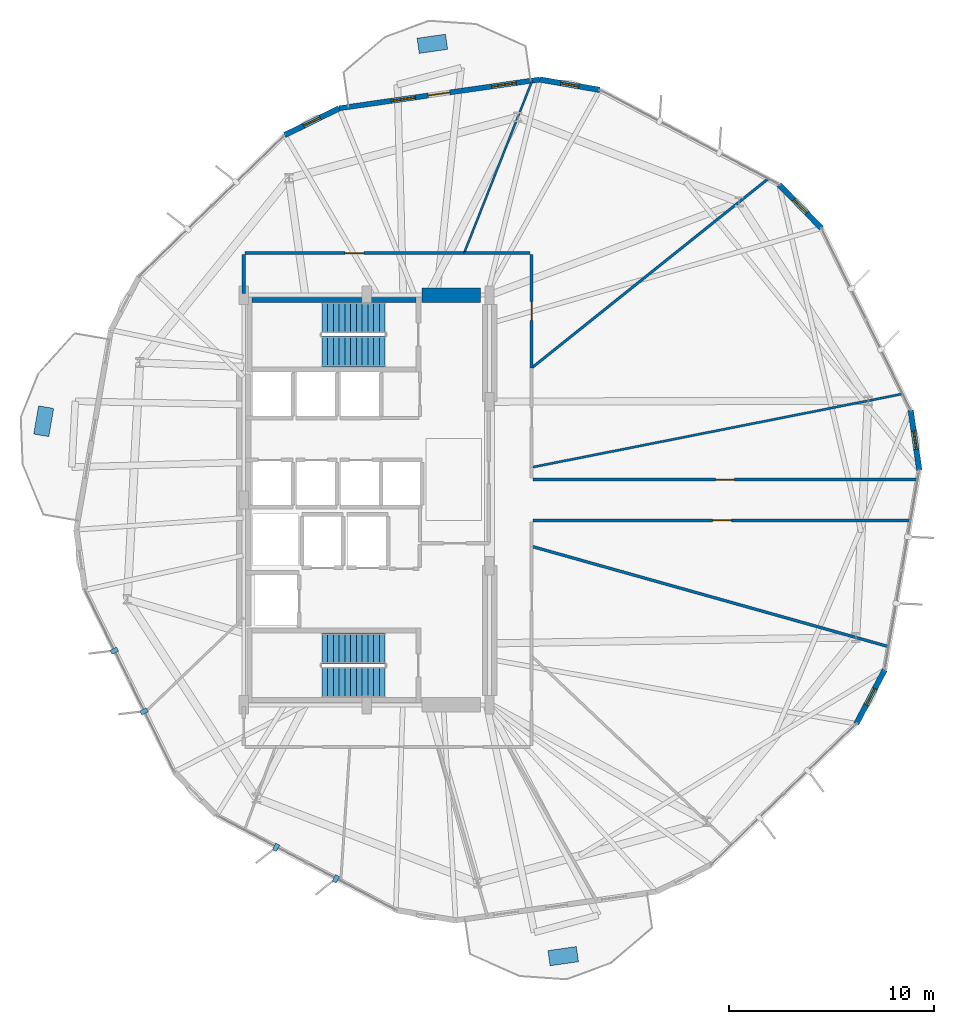
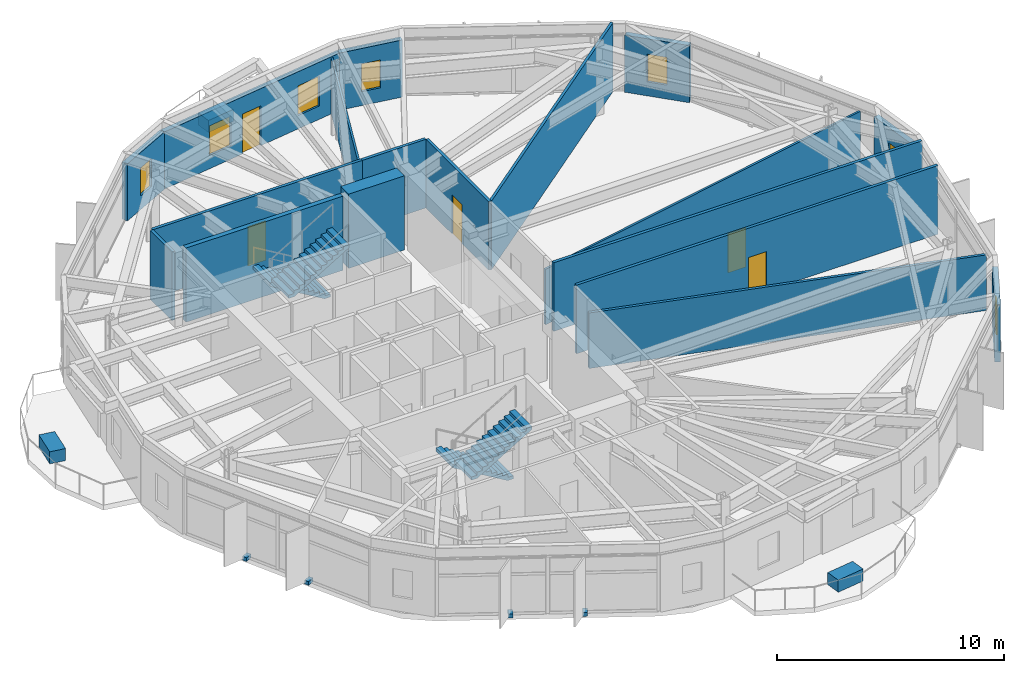
# One storey, part 18 of 22: 18 walls, 7 discrete accessories, 7 windows, 5 doors, 4 stair flights, 12 openings, 2 elements without a shape of their own.
"""IFC4 building model written with IfcOpenShell, lengths in metres."""

from ifc_helpers import new_model, si_unit, direction, frame, frame_2d, origin, origin_2d, place, context, subcontext, project, spatial, polyline, rectangle, outline, extrude, material, layer, layer_set, type_object, element, fill, aggregate, save


model = new_model("IFC4")

# Units and contexts
model_context = context("Model", 3, precision=1e-05, world=origin(), true_north=direction((0.0, 1.0)))
body_context = subcontext(model_context, "Body", "Model", "MODEL_VIEW")
ifc_project = project(units=[si_unit("LENGTHUNIT", "METRE"), si_unit("AREAUNIT", "SQUARE_METRE"), si_unit("VOLUMEUNIT", "CUBIC_METRE"), si_unit("PLANEANGLEUNIT", "RADIAN"), si_unit("MASSUNIT", "GRAM", prefix="KILO")], contexts=[model_context])

# Site, building, storey
site_placement = place(None, origin())
site = spatial("IfcSite", under=ifc_project, at=site_placement, CompositionType="ELEMENT")
building_placement = place(site_placement, origin())
building = spatial("IfcBuilding", under=site, at=building_placement, Name="Soratama Intermodal Tower", CompositionType="ELEMENT")
storey_placement = place(building_placement, frame((0.0, 0.0, 58.60009765625)))
storey = spatial("IfcBuildingStorey", under=building, at=storey_placement, Name="L13", CompositionType="ELEMENT", Elevation=58.60009765625)

# Wall, openings, door, windows
ifc_material_1 = material(Name="Concrete f'c 42 MPa", Category="concrete")
ifc_layer_1 = layer(ifc_material_1, 0.25)
ifc_layer_set_1 = layer_set([ifc_layer_1], Name="Concrete f'c 42 MPa")
wall_type_1 = type_object("IfcWallType", Name="EW-BAL-250", PredefinedType="SOLIDWALL", material=ifc_layer_set_1)
wall_1_placement = place(storey_placement, frame((47.0546875, 45.52490234375, 0.0), z_axis=(0.0, 0.0, 1.0), x_axis=(-0.989876819663, -0.141929143922, 0.0)))
wall_1 = element("IfcWall", 1, at=wall_1_placement, inside=storey, type_object=wall_type_1, Name="L13 Terrace Wall F03", PredefinedType="SOLIDWALL", context=body_context, shape_type="SweptSolid", body=[
    extrude(rectangle(XDim=9.894287109375, YDim=0.25, at=frame_2d((4.947265625, 0.0))), origin(), (0.0, 0.0, 1.0), 3.078857421875),
])
opening_1_placement = place(wall_1_placement, frame((4.447021484375, 0.0, 0.0)))
opening_1 = element("IfcOpeningElement", 2, at=opening_1_placement, cuts=wall_1, Name="Opening ED-5", PredefinedType="OPENING", context=body_context, shape_type="SweptSolid", body=[
    extrude(rectangle(XDim=1.050048828125, YDim=2.14990234375, at=frame_2d((0.52490234375, 1.074951171875))), frame((0.0, 0.135009765625, 0.0), z_axis=(0.0, -1.0, 0.0), x_axis=(1.0, 0.0, 0.0)), (0.0, 0.0, 1.0), 0.27001953125),
])
opening_2_placement = place(wall_1_placement, frame((1.162353515625, 0.0, 0.719970703125)))
opening_2 = element("IfcOpeningElement", 3, at=opening_2_placement, cuts=wall_1, Name="Opening WN-2", PredefinedType="OPENING", context=body_context, shape_type="SweptSolid", body=[
    extrude(rectangle(XDim=1.199951171875, YDim=1.60009765625, at=frame_2d((0.60009765625, 0.800048828125))), frame((0.0, 0.135009765625, 0.0), z_axis=(0.0, -1.0, 0.0), x_axis=(1.0, 0.0, 0.0)), (0.0, 0.0, 1.0), 0.27001953125),
])
opening_3_placement = place(wall_1_placement, frame((6.13720703125, 0.0, 0.719970703125)))
opening_3 = element("IfcOpeningElement", 4, at=opening_3_placement, cuts=wall_1, Name="Opening WN-2", PredefinedType="OPENING", context=body_context, shape_type="SweptSolid", body=[
    extrude(rectangle(XDim=1.199951171875, YDim=1.60009765625, at=frame_2d((0.60009765625, 0.800048828125))), frame((0.0, 0.135009765625, 0.0), z_axis=(0.0, -1.0, 0.0), x_axis=(1.0, 0.0, 0.0)), (0.0, 0.0, 1.0), 0.27001953125),
])
ifc_material_2 = material(Name="Double-glazed aluminium door", Category="aluminium")
door_type_1 = type_object("IfcDoorType", Name="DR-BAL-1050", OperationType="NOTDEFINED", PredefinedType="DOOR", material=ifc_material_2)
door_1_placement = place(opening_1_placement, origin())
door_1 = element("IfcDoor", 5, at=door_1_placement, inside=storey, type_object=door_type_1, Name="L13 Balcony Door F03", OperationType="SINGLE_SWING_LEFT", OverallHeight=2.14990234375, OverallWidth=1.050048828125, PredefinedType="DOOR", context=body_context, shape_type="SweptSolid", body=[
    extrude(rectangle(XDim=1.050048828125, YDim=2.14990234375, at=frame_2d((0.52490234375, 1.074951171875))), frame((0.0, 0.02490234375, 0.0), z_axis=(0.0, -1.0, 0.0), x_axis=(1.0, 0.0, 0.0)), (0.0, 0.0, 1.0), 0.050048828125),
])
fill(opening_1, door_1)
ifc_material_3 = material(Name="Double-glazed aluminium window", Category="aluminium")
window_type_1 = type_object("IfcWindowType", Name="WN-FAC-1200", PartitioningType="SINGLE_PANEL", PredefinedType="WINDOW", material=ifc_material_3)
window_1_placement = place(opening_2_placement, origin())
window_1 = element("IfcWindow", 6, at=window_1_placement, inside=storey, type_object=window_type_1, Name="L13 Window A F03", OverallHeight=1.60009765625, OverallWidth=1.199951171875, PartitioningType="SINGLE_PANEL", PredefinedType="WINDOW", context=body_context, shape_type="SweptSolid", body=[
    extrude(rectangle(XDim=1.199951171875, YDim=1.60009765625, at=frame_2d((0.60009765625, 0.800048828125))), frame((0.0, 0.030029296875, 0.0), z_axis=(0.0, -1.0, 0.0), x_axis=(1.0, 0.0, 0.0)), (0.0, 0.0, 1.0), 0.06005859375),
])
fill(opening_2, window_1)
window_2_placement = place(opening_3_placement, origin())
window_2 = element("IfcWindow", 7, at=window_2_placement, inside=storey, type_object=window_type_1, Name="L13 Window B F03", OverallHeight=1.60009765625, OverallWidth=1.199951171875, PartitioningType="SINGLE_PANEL", PredefinedType="WINDOW", context=body_context, shape_type="SweptSolid", body=[
    extrude(rectangle(XDim=1.199951171875, YDim=1.60009765625, at=frame_2d((0.60009765625, 0.800048828125))), frame((0.0, 0.030029296875, 0.0), z_axis=(0.0, -1.0, 0.0), x_axis=(1.0, 0.0, 0.0)), (0.0, 0.0, 1.0), 0.06005859375),
])
fill(opening_3, window_2)

# Wall, opening, window
ifc_material_4 = material(Name="Concrete f'c 42 MPa", Category="concrete")
ifc_layer_2 = layer(ifc_material_4, 0.27001953125)
ifc_layer_set_2 = layer_set([ifc_layer_2], Name="Concrete f'c 42 MPa")
wall_type_2 = type_object("IfcWallType", Name="EW-CRN-270", PredefinedType="SOLIDWALL", material=ifc_layer_set_2)
wall_2_placement = place(storey_placement, frame((60.793212890625, 38.269287109375, 0.0), z_axis=(0.0, 0.0, 1.0), x_axis=(-0.69666106732, 0.717400416282, 0.0)))
wall_2 = element("IfcWall", 8, at=wall_2_placement, inside=storey, type_object=wall_type_2, Name="L13 Corner Closure Wall 01", PredefinedType="SOLIDWALL", context=body_context, shape_type="SweptSolid", body=[
    extrude(rectangle(XDim=2.966552734375, YDim=0.27001953125, at=frame_2d((1.4833984375, 0.0))), origin(), (0.0, 0.0, 1.0), 3.078857421875),
])
opening_4_placement = place(wall_2_placement, frame((1.033203125, 0.0, 0.75)))
opening_4 = element("IfcOpeningElement", 9, at=opening_4_placement, cuts=wall_2, Name="Opening WN-6", PredefinedType="OPENING", context=body_context, shape_type="SweptSolid", body=[
    extrude(rectangle(XDim=0.89990234375, YDim=1.5, at=frame_2d((0.449951171875, 0.75))), frame((0.0, 0.14501953125, 0.0), z_axis=(0.0, -1.0, 0.0), x_axis=(1.0, 0.0, 0.0)), (0.0, 0.0, 1.0), 0.2900390625),
])
ifc_material_5 = material(Name="Double-glazed aluminium window", Category="aluminium")
window_type_2 = type_object("IfcWindowType", Name="WN-FAC-900", PartitioningType="SINGLE_PANEL", PredefinedType="WINDOW", material=ifc_material_5)
window_3_placement = place(opening_4_placement, origin())
window_3 = element("IfcWindow", 10, at=window_3_placement, inside=storey, type_object=window_type_2, Name="L13 Corner Window 01", OverallHeight=1.5, OverallWidth=0.89990234375, PartitioningType="SINGLE_PANEL", PredefinedType="WINDOW", context=body_context, shape_type="SweptSolid", body=[
    extrude(rectangle(XDim=0.89990234375, YDim=1.5, at=frame_2d((0.449951171875, 0.75))), frame((0.0, 0.030029296875, 0.0), z_axis=(0.0, -1.0, 0.0), x_axis=(1.0, 0.0, 0.0)), (0.0, 0.0, 1.0), 0.06005859375),
])
fill(opening_4, window_3)

wall_3_placement = place(storey_placement, frame((49.9775390625, 45.01806640625, 0.0), z_axis=(0.0, 0.0, 1.0), x_axis=(-0.985296200015, 0.170854904045, 0.0)))
wall_3 = element("IfcWall", 11, at=wall_3_placement, inside=storey, type_object=wall_type_2, Name="L13 Corner Closure Wall 02", PredefinedType="SOLIDWALL", context=body_context, shape_type="SweptSolid", body=[
    extrude(rectangle(XDim=2.966552734375, YDim=0.27001953125, at=frame_2d((1.4833984375, 0.0))), origin(), (0.0, 0.0, 1.0), 3.078857421875),
])
opening_5_placement = place(wall_3_placement, frame((1.033203125, 0.0, 0.75)))
opening_5 = element("IfcOpeningElement", 12, at=opening_5_placement, cuts=wall_3, Name="Opening WN-6", PredefinedType="OPENING", context=body_context, shape_type="SweptSolid", body=[
    extrude(rectangle(XDim=0.89990234375, YDim=1.5, at=frame_2d((0.449951171875, 0.75))), frame((0.0, 0.14501953125, 0.0), z_axis=(0.0, -1.0, 0.0), x_axis=(1.0, 0.0, 0.0)), (0.0, 0.0, 1.0), 0.2900390625),
])
window_4_placement = place(opening_5_placement, origin())
window_4 = element("IfcWindow", 13, at=window_4_placement, inside=storey, type_object=window_type_2, Name="L13 Corner Window 02", OverallHeight=1.5, OverallWidth=0.89990234375, PartitioningType="SINGLE_PANEL", PredefinedType="WINDOW", context=body_context, shape_type="SweptSolid", body=[
    extrude(rectangle(XDim=0.89990234375, YDim=1.5, at=frame_2d((0.449951171875, 0.75))), frame((0.0, 0.030029296875, 0.0), z_axis=(0.0, -1.0, 0.0), x_axis=(1.0, 0.0, 0.0)), (0.0, 0.0, 1.0), 0.06005859375),
])
fill(opening_5, window_4)

wall_4_placement = place(storey_placement, frame((37.260498046875, 44.12060546875, 0.0), z_axis=(0.0, 0.0, 1.0), x_axis=(-0.897565182517, -0.440881779089, 0.0)))
wall_4 = element("IfcWall", 14, at=wall_4_placement, inside=storey, type_object=wall_type_2, Name="L13 Corner Closure Wall 03", PredefinedType="SOLIDWALL", context=body_context, shape_type="SweptSolid", body=[
    extrude(rectangle(XDim=2.966552734375, YDim=0.27001953125, at=frame_2d((1.4833984375, 0.0))), origin(), (0.0, 0.0, 1.0), 3.078857421875),
])
opening_6_placement = place(wall_4_placement, frame((1.033203125, 0.0, 0.75)))
opening_6 = element("IfcOpeningElement", 15, at=opening_6_placement, cuts=wall_4, Name="Opening WN-6", PredefinedType="OPENING", context=body_context, shape_type="SweptSolid", body=[
    extrude(rectangle(XDim=0.89990234375, YDim=1.5, at=frame_2d((0.449951171875, 0.75))), frame((0.0, 0.14501953125, 0.0), z_axis=(0.0, -1.0, 0.0), x_axis=(1.0, 0.0, 0.0)), (0.0, 0.0, 1.0), 0.2900390625),
])
window_5_placement = place(opening_6_placement, origin())
window_5 = element("IfcWindow", 16, at=window_5_placement, inside=storey, type_object=window_type_2, Name="L13 Corner Window 03", OverallHeight=1.5, OverallWidth=0.89990234375, PartitioningType="SINGLE_PANEL", PredefinedType="WINDOW", context=body_context, shape_type="SweptSolid", body=[
    extrude(rectangle(XDim=0.89990234375, YDim=1.5, at=frame_2d((0.449951171875, 0.75))), frame((0.0, 0.030029296875, 0.0), z_axis=(0.0, -1.0, 0.0), x_axis=(1.0, 0.0, 0.0)), (0.0, 0.0, 1.0), 0.06005859375),
])
fill(opening_6, window_5)

wall_5_placement = place(storey_placement, frame((62.5, 14.080078125, 0.0), z_axis=(0.0, 0.0, 1.0), x_axis=(0.467017847618, 0.884247889455, 0.0)))
wall_5 = element("IfcWall", 17, at=wall_5_placement, inside=storey, type_object=wall_type_2, Name="L13 Corner Closure Wall 09", PredefinedType="SOLIDWALL", context=body_context, shape_type="SweptSolid", body=[
    extrude(rectangle(XDim=2.966796875, YDim=0.27001953125, at=frame_2d((1.4833984375, 0.0))), origin(), (0.0, 0.0, 1.0), 3.078857421875),
])
opening_7_placement = place(wall_5_placement, frame((1.033203125, 0.0, 0.75)))
opening_7 = element("IfcOpeningElement", 18, at=opening_7_placement, cuts=wall_5, Name="Opening WN-6", PredefinedType="OPENING", context=body_context, shape_type="SweptSolid", body=[
    extrude(rectangle(XDim=0.89990234375, YDim=1.5, at=frame_2d((0.449951171875, 0.75))), frame((0.0, 0.14501953125, 0.0), z_axis=(0.0, -1.0, 0.0), x_axis=(1.0, 0.0, 0.0)), (0.0, 0.0, 1.0), 0.2900390625),
])
window_6_placement = place(opening_7_placement, origin())
window_6 = element("IfcWindow", 19, at=window_6_placement, inside=storey, type_object=window_type_2, Name="L13 Corner Window 09", OverallHeight=1.5, OverallWidth=0.89990234375, PartitioningType="SINGLE_PANEL", PredefinedType="WINDOW", context=body_context, shape_type="SweptSolid", body=[
    extrude(rectangle(XDim=0.89990234375, YDim=1.5, at=frame_2d((0.449951171875, 0.75))), frame((0.0, 0.030029296875, 0.0), z_axis=(0.0, -1.0, 0.0), x_axis=(1.0, 0.0, 0.0)), (0.0, 0.0, 1.0), 0.06005859375),
])
fill(opening_7, window_6)

wall_6_placement = place(storey_placement, frame((65.576416015625, 26.451904296875, 0.0), z_axis=(0.0, 0.0, 1.0), x_axis=(-0.141962851347, 0.989871986086, 0.0)))
wall_6 = element("IfcWall", 20, at=wall_6_placement, inside=storey, type_object=wall_type_2, Name="L13 Corner Closure Wall 10", PredefinedType="SOLIDWALL", context=body_context, shape_type="SweptSolid", body=[
    extrude(rectangle(XDim=2.966552734375, YDim=0.27001953125, at=frame_2d((1.4833984375, 0.0))), origin(), (0.0, 0.0, 1.0), 3.078857421875),
])
opening_8_placement = place(wall_6_placement, frame((1.033203125, 0.0, 0.75)))
opening_8 = element("IfcOpeningElement", 21, at=opening_8_placement, cuts=wall_6, Name="Opening WN-6", PredefinedType="OPENING", context=body_context, shape_type="SweptSolid", body=[
    extrude(rectangle(XDim=0.89990234375, YDim=1.5, at=frame_2d((0.449951171875, 0.75))), frame((0.0, 0.14501953125, 0.0), z_axis=(0.0, -1.0, 0.0), x_axis=(1.0, 0.0, 0.0)), (0.0, 0.0, 1.0), 0.2900390625),
])
window_7_placement = place(opening_8_placement, origin())
window_7 = element("IfcWindow", 22, at=window_7_placement, inside=storey, type_object=window_type_2, Name="L13 Corner Window 10", OverallHeight=1.5, OverallWidth=0.89990234375, PartitioningType="SINGLE_PANEL", PredefinedType="WINDOW", context=body_context, shape_type="SweptSolid", body=[
    extrude(rectangle(XDim=0.89990234375, YDim=1.5, at=frame_2d((0.449951171875, 0.75))), frame((0.0, 0.030029296875, 0.0), z_axis=(0.0, -1.0, 0.0), x_axis=(1.0, 0.0, 0.0)), (0.0, 0.0, 1.0), 0.06005859375),
])
fill(opening_8, window_7)

# Wall, opening, door
ifc_material_6 = material(Name="Fire-rated gypsum stud partition", Category="concrete")
ifc_layer_3 = layer(ifc_material_6, 0.14990234375)
ifc_layer_set_3 = layer_set([ifc_layer_3], Name="Fire-rated gypsum stud partition")
wall_type_3 = type_object("IfcWallType", Name="IW-PART-R150", PredefinedType="PARTITIONING", material=ifc_layer_set_3)
wall_7_placement = place(storey_placement, frame((46.719970703125, 26.0, 0.0), z_axis=(0.0, 0.0, 1.0), x_axis=(1.0, 0.0, 0.0)))
wall_7 = element("IfcWall", 23, at=wall_7_placement, inside=storey, type_object=wall_type_3, Name="L13 Partition W-L13-TP001", PredefinedType="PARTITIONING", context=body_context, shape_type="SweptSolid", body=[
    extrude(rectangle(XDim=18.778076171875, YDim=0.14990234375, at=frame_2d((9.38916015625, 0.0))), origin(), (0.0, 0.0, 1.0), 3.699951171875),
])
opening_9_placement = place(wall_7_placement, frame((8.9140625, 0.0, 0.0)))
opening_9 = element("IfcOpeningElement", 24, at=opening_9_placement, cuts=wall_7, Name="Opening ID-6", PredefinedType="OPENING", context=body_context, shape_type="SweptSolid", body=[
    extrude(rectangle(XDim=0.919921875, YDim=2.1201171875, at=frame_2d((0.4599609375, 1.06005859375))), frame((0.0, 0.0849609375, 0.0), z_axis=(0.0, -1.0, 0.0), x_axis=(1.0, 0.0, 0.0)), (0.0, 0.0, 1.0), 0.169921875),
])
ifc_material_7 = material(Name="Solid hardwood acoustic door", Category="wood")
door_type_2 = type_object("IfcDoorType", Name="DR-ROOM-920", OperationType="NOTDEFINED", PredefinedType="DOOR", material=ifc_material_7)
door_2_placement = place(opening_9_placement, origin())
door_2 = element("IfcDoor", 25, at=door_2_placement, inside=storey, type_object=door_type_2, Name="L13 Door D-L13-TP001", OperationType="SINGLE_SWING_RIGHT", OverallHeight=2.1201171875, OverallWidth=0.919921875, PredefinedType="DOOR", context=body_context, shape_type="SweptSolid", body=[
    extrude(rectangle(XDim=0.919921875, YDim=2.1201171875, at=frame_2d((0.4599609375, 1.06005859375))), frame((0.0, 0.02490234375, 0.0), z_axis=(0.0, -1.0, 0.0), x_axis=(1.0, 0.0, 0.0)), (0.0, 0.0, 1.0), 0.050048828125),
])
fill(opening_9, door_2)

wall_8_placement = place(storey_placement, frame((65.15087890625, 24.0, 0.0), z_axis=(0.0, 0.0, 1.0), x_axis=(-1.0, 0.0, 0.0)))
wall_8 = element("IfcWall", 26, at=wall_8_placement, inside=storey, type_object=wall_type_3, Name="L13 Partition W-L13-TP003", PredefinedType="PARTITIONING", context=body_context, shape_type="SweptSolid", body=[
    extrude(rectangle(XDim=18.430908203125, YDim=0.14990234375, at=frame_2d((9.21533203125, 0.0))), origin(), (0.0, 0.0, 1.0), 3.699951171875),
])
opening_10_placement = place(wall_8_placement, frame((8.739990234375, 0.0, 0.0)))
opening_10 = element("IfcOpeningElement", 27, at=opening_10_placement, cuts=wall_8, Name="Opening ID-6", PredefinedType="OPENING", context=body_context, shape_type="SweptSolid", body=[
    extrude(rectangle(XDim=0.919921875, YDim=2.1201171875, at=frame_2d((0.4599609375, 1.06005859375))), frame((0.0, 0.0849609375, 0.0), z_axis=(0.0, -1.0, 0.0), x_axis=(1.0, 0.0, 0.0)), (0.0, 0.0, 1.0), 0.169921875),
])
door_3_placement = place(opening_10_placement, origin())
door_3 = element("IfcDoor", 28, at=door_3_placement, inside=storey, type_object=door_type_2, Name="L13 Door D-L13-TP002", OperationType="SINGLE_SWING_LEFT", OverallHeight=2.1201171875, OverallWidth=0.919921875, PredefinedType="DOOR", context=body_context, shape_type="SweptSolid", body=[
    extrude(rectangle(XDim=0.919921875, YDim=2.1201171875, at=frame_2d((0.4599609375, 1.06005859375))), frame((0.0, 0.02490234375, 0.0), z_axis=(0.0, -1.0, 0.0), x_axis=(1.0, 0.0, 0.0)), (0.0, 0.0, 1.0), 0.050048828125),
])
fill(opening_10, door_3)

wall_9_placement = place(storey_placement, frame((32.669921875, 37.050048828125, 0.0), z_axis=(0.0, 0.0, 1.0), x_axis=(1.0, 0.0, 0.0)))
wall_9 = element("IfcWall", 29, at=wall_9_placement, inside=storey, type_object=wall_type_3, Name="L13 Partition W-L13-TP007", PredefinedType="PARTITIONING", context=body_context, shape_type="SweptSolid", body=[
    extrude(rectangle(XDim=10.68603515625, YDim=0.14990234375, at=frame_2d((5.343017578125, 0.0))), origin(), (0.0, 0.0, 1.0), 3.699951171875),
])
opening_11_placement = place(wall_9_placement, frame((4.867919921875, 0.0, 0.0)))
opening_11 = element("IfcOpeningElement", 30, at=opening_11_placement, cuts=wall_9, Name="Opening ID-6", PredefinedType="OPENING", context=body_context, shape_type="SweptSolid", body=[
    extrude(rectangle(XDim=0.919921875, YDim=2.1201171875, at=frame_2d((0.4599609375, 1.06005859375))), frame((0.0, 0.0849609375, 0.0), z_axis=(0.0, -1.0, 0.0), x_axis=(1.0, 0.0, 0.0)), (0.0, 0.0, 1.0), 0.169921875),
])
door_4_placement = place(opening_11_placement, origin())
door_4 = element("IfcDoor", 31, at=door_4_placement, inside=storey, type_object=door_type_2, Name="L13 Door D-L13-TP003", OperationType="SINGLE_SWING_RIGHT", OverallHeight=2.1201171875, OverallWidth=0.919921875, PredefinedType="DOOR", context=body_context, shape_type="SweptSolid", body=[
    extrude(rectangle(XDim=0.919921875, YDim=2.1201171875, at=frame_2d((0.4599609375, 1.06005859375))), frame((0.0, 0.02490234375, 0.0), z_axis=(0.0, -1.0, 0.0), x_axis=(1.0, 0.0, 0.0)), (0.0, 0.0, 1.0), 0.050048828125),
])
fill(opening_11, door_4)

wall_10_placement = place(storey_placement, frame((46.64990234375, 36.97998046875, 0.0), z_axis=(0.0, 0.0, 1.0), x_axis=(0.0, -1.0, 0.0)))
wall_10 = element("IfcWall", 32, at=wall_10_placement, inside=storey, type_object=wall_type_3, Name="L13 Partition W-L13-TP014", PredefinedType="PARTITIONING", context=body_context, shape_type="SweptSolid", body=[
    extrude(rectangle(XDim=5.5380859375, YDim=0.14990234375, at=frame_2d((2.76904296875, 0.0))), origin(), (0.0, 0.0, 1.0), 3.699951171875),
])
opening_12_placement = place(wall_10_placement, frame((2.2939453125, 0.0, 0.0)))
opening_12 = element("IfcOpeningElement", 33, at=opening_12_placement, cuts=wall_10, Name="Opening ID-6", PredefinedType="OPENING", context=body_context, shape_type="SweptSolid", body=[
    extrude(rectangle(XDim=0.919921875, YDim=2.1201171875, at=frame_2d((0.4599609375, 1.06005859375))), frame((0.0, 0.0849609375, 0.0), z_axis=(0.0, -1.0, 0.0), x_axis=(1.0, 0.0, 0.0)), (0.0, 0.0, 1.0), 0.169921875),
])
door_5_placement = place(opening_12_placement, origin())
door_5 = element("IfcDoor", 34, at=door_5_placement, inside=storey, type_object=door_type_2, Name="L13 Door D-L13-TP005", OperationType="SINGLE_SWING_RIGHT", OverallHeight=2.1201171875, OverallWidth=0.919921875, PredefinedType="DOOR", context=body_context, shape_type="SweptSolid", body=[
    extrude(rectangle(XDim=0.919921875, YDim=2.1201171875, at=frame_2d((0.4599609375, 1.06005859375))), frame((0.0, 0.02490234375, 0.0), z_axis=(0.0, -1.0, 0.0), x_axis=(1.0, 0.0, 0.0)), (0.0, 0.0, 1.0), 0.050048828125),
])
fill(opening_12, door_5)

# Walls
wall_11_placement = place(storey_placement, frame((43.35595703125, 37.050048828125, 0.0), z_axis=(0.0, 0.0, 1.0), x_axis=(1.0, 0.0, 0.0)))
element("IfcWall", 35, at=wall_11_placement, inside=storey, type_object=wall_type_3, Name="L13 Partition W-L13-TP023", PredefinedType="PARTITIONING", context=body_context, shape_type="SweptSolid", body=[
    extrude(rectangle(XDim=3.22412109375, YDim=0.14990234375, at=frame_2d((1.612060546875, 0.0))), origin(), (0.0, 0.0, 1.0), 3.699951171875),
])
wall_12_placement = place(storey_placement, frame((32.60009765625, 35.070068359375, 0.0), z_axis=(0.0, 0.0, 1.0), x_axis=(0.0, 1.0, 0.0)))
element("IfcWall", 36, at=wall_12_placement, inside=storey, type_object=wall_type_3, Name="L13 Partition W-L13-TP026", PredefinedType="PARTITIONING", context=body_context, shape_type="SweptSolid", body=[
    extrude(rectangle(XDim=1.909912109375, YDim=0.14990234375, at=frame_2d((0.955078125, 0.0))), origin(), (0.0, 0.0, 1.0), 3.699951171875),
])
ifc_material_8 = material(Name="Fire-rated gypsum stud partition", Category="concrete")
ifc_layer_4 = layer(ifc_material_8, 0.10009765625)
ifc_layer_set_4 = layer_set([ifc_layer_4], Name="Fire-rated gypsum stud partition")
wall_type_4 = type_object("IfcWallType", Name="IW-PART-S100", PredefinedType="PARTITIONING", material=ifc_layer_set_4)
wall_13_placement = place(storey_placement, frame((43.35595703125, 37.050048828125, 0.0), z_axis=(0.0, 0.0, 1.0), x_axis=(0.367253717082, 0.930120802525, 0.0)))
element("IfcWall", 37, at=wall_13_placement, inside=storey, type_object=wall_type_4, Name="L13 Partition W-L13-TP008", PredefinedType="PARTITIONING", context=body_context, shape_type="SweptSolid", body=[
    extrude(rectangle(XDim=9.053466796875, YDim=0.10009765625, at=frame_2d((4.52685546875, 0.0))), origin(), (0.0, 0.0, 1.0), 2.994873046875),
])
ifc_material_9 = material(Name="Fire-rated gypsum stud partition", Category="concrete")
ifc_layer_5 = layer(ifc_material_9, 0.110107421875)
ifc_layer_set_5 = layer_set([ifc_layer_5], Name="Fire-rated gypsum stud partition")
wall_type_5 = type_object("IfcWallType", Name="IW-PART-S110", PredefinedType="PARTITIONING", material=ifc_layer_set_5)
wall_14_placement = place(storey_placement, frame((46.64990234375, 26.593017578125, 0.0), z_axis=(0.0, 0.0, 1.0), x_axis=(0.980969206426, 0.194163374622, 0.0)))
element("IfcWall", 38, at=wall_14_placement, inside=storey, type_object=wall_type_5, Name="L13 Partition W-L13-TP002", PredefinedType="PARTITIONING", context=body_context, shape_type="SweptSolid", body=[
    extrude(rectangle(XDim=18.46875, YDim=0.110107421875, at=frame_2d((9.234375, 0.0))), origin(), (0.0, 0.0, 1.0), 2.994873046875),
])
ifc_material_10 = material(Name="Fire-rated gypsum stud partition", Category="concrete")
ifc_layer_6 = layer(ifc_material_10, 0.1298828125)
ifc_layer_set_6 = layer_set([ifc_layer_6], Name="Fire-rated gypsum stud partition")
wall_type_6 = type_object("IfcWallType", Name="IW-PART-S130", PredefinedType="PARTITIONING", material=ifc_layer_set_6)
wall_15_placement = place(storey_placement, frame((46.64990234375, 31.44189453125, 0.0), z_axis=(0.0, 0.0, 1.0), x_axis=(0.780812420754, 0.624765526895, 0.0)))
element("IfcWall", 39, at=wall_15_placement, inside=storey, type_object=wall_type_6, Name="L13 Partition W-L13-TP005", PredefinedType="PARTITIONING", context=body_context, shape_type="SweptSolid", body=[
    extrude(rectangle(XDim=14.784912109375, YDim=0.1298828125, at=frame_2d((7.392578125, 0.0))), origin(), (0.0, 0.0, 1.0), 3.699951171875),
])
ifc_material_11 = material(Name="Fire-rated gypsum stud partition", Category="concrete")
ifc_layer_7 = layer(ifc_material_11, 0.139892578125)
ifc_layer_set_7 = layer_set([ifc_layer_7], Name="Fire-rated gypsum stud partition")
wall_type_7 = type_object("IfcWallType", Name="IW-PART-S140", PredefinedType="PARTITIONING", material=ifc_layer_set_7)
wall_16_placement = place(storey_placement, frame((46.64990234375, 22.738037109375, 0.0), z_axis=(0.0, 0.0, 1.0), x_axis=(0.962724478267, -0.270483971697, 0.0)))
element("IfcWall", 40, at=wall_16_placement, inside=storey, type_object=wall_type_7, Name="L13 Partition W-L13-TP004", PredefinedType="PARTITIONING", context=body_context, shape_type="SweptSolid", body=[
    extrude(rectangle(XDim=18.108154296875, YDim=0.139892578125, at=frame_2d((9.05419921875, 0.0))), origin(), (0.0, 0.0, 1.0), 2.994873046875),
])
ifc_material_12 = material(Name="Concrete f'c 56 MPa", Category="concrete")
ifc_layer_8 = layer(ifc_material_12, 0.699951171875)
ifc_layer_set_8 = layer_set([ifc_layer_8], Name="Concrete f'c 56 MPa")
wall_type_8 = type_object("IfcWallType", Name="SW-CORE-700", PredefinedType="SHEAR", material=ifc_layer_set_8)
wall_17_placement = place(storey_placement, frame((41.300048828125, 35.0, 0.0), z_axis=(0.0, 0.0, 1.0), x_axis=(1.0, 0.0, 0.0)))
element("IfcWall", 41, at=wall_17_placement, inside=storey, type_object=wall_type_8, Name="L13 Core Shear Wall CW-NE", PredefinedType="SHEAR", context=body_context, shape_type="SweptSolid", body=[
    extrude(rectangle(XDim=2.849853515625, YDim=0.699951171875, at=frame_2d((1.4248046875, 0.0))), origin(), (0.0, 0.0, 1.0), 4.0),
])
ifc_material_13 = material(Name="Concrete f'c 56 MPa", Category="concrete")
ifc_layer_9 = layer(ifc_material_13, 0.239990234375)
ifc_layer_set_9 = layer_set([ifc_layer_9], Name="Concrete f'c 56 MPa")
wall_type_9 = type_object("IfcWallType", Name="SW-STAIR-240", PredefinedType="SHEAR", material=ifc_layer_set_9)
wall_18_placement = place(storey_placement, frame((33.0, 34.77001953125, 0.0), z_axis=(0.0, 0.0, 1.0), x_axis=(1.0, 0.0, 0.0)))
element("IfcWall", 42, at=wall_18_placement, inside=storey, type_object=wall_type_9, Name="L13 ST-2 Shaft Shear Wall N", PredefinedType="SHEAR", context=body_context, shape_type="SweptSolid", body=[
    extrude(rectangle(XDim=8.0, YDim=0.239990234375, at=frame_2d((4.0, 0.0))), origin(), (0.0, 0.0, 1.0), 4.0),
])

# Stair, stair flights
ifc_material_14 = material(Name="Concrete f'c 42 MPa", Category="concrete")
stair_type = type_object("IfcStairType", Name="ST-CORE-DOGLEG", PredefinedType="HALF_TURN_STAIR", material=ifc_material_14)
stair_1_placement = place(storey_placement, origin())
stair_1 = element("IfcStair", 43, at=stair_1_placement, inside=storey, type_object=stair_type, Name="L13 ST-1", PredefinedType="HALF_TURN_STAIR")
ifc_material_15 = material(Name="Precast concrete f'c 40 MPa", Category="concrete")
ifc_layer_10 = layer(ifc_material_15, 0.199951171875)
ifc_layer_set_10 = layer_set([ifc_layer_10], Name="Precast concrete f'c 40 MPa")
stair_flight_type = type_object("IfcStairFlightType", Name="SF-FLIGHT-RC", PredefinedType="STRAIGHT", material=ifc_layer_set_10)
stair_flight_1_placement = place(storey_placement, frame((39.5, 17.75, 0.0), z_axis=(0.0, 0.0, 1.0), x_axis=(-1.0, 0.0, 0.0)))
stair_flight_1 = element("IfcStairFlight", 44, at=stair_flight_1_placement, type_object=stair_flight_type, Name="ST-1 flight 1", NumberOfRisers=12, NumberOfTreads=11, PredefinedType="STRAIGHT", RiserHeight=0.166666667, TreadLength=0.28, context=body_context, shape_type="SweptSolid", body=[
    extrude(outline(polyline([(0.0, 0.0), (0.0, 0.166748046875), (0.280029296875, 0.166748046875), (0.280029296875, 0.333251953125), (0.56005859375, 0.333251953125), (0.56005859375, 0.5), (0.840087890625, 0.5), (0.840087890625, 0.666748046875), (1.1201171875, 0.666748046875), (1.1201171875, 0.833251953125), (1.39990234375, 0.833251953125), (1.39990234375, 1.0), (1.679931640625, 1.0), (1.679931640625, 1.166748046875), (1.9599609375, 1.166748046875), (1.9599609375, 1.333251953125), (2.239990234375, 1.333251953125), (2.239990234375, 1.5), (2.52001953125, 1.5), (2.52001953125, 1.666748046875), (2.800048828125, 1.666748046875), (2.800048828125, 1.833251953125), (3.080078125, 1.833251953125), (3.080078125, 2.0), (3.080078125, 1.658935546875), (0.29296875, 0.0), (0.0, 0.0)])), frame((0.0, 0.75, 0.0), z_axis=(0.0, -1.0, 0.0), x_axis=(1.0, 0.0, 0.0)), (0.0, 0.0, 1.0), 1.5),
])
stair_flight_2_placement = place(storey_placement, frame((36.419921875, 16.10009765625, 2.0), z_axis=(0.0, 0.0, 1.0), x_axis=(1.0, 0.0, 0.0)))
stair_flight_2 = element("IfcStairFlight", 45, at=stair_flight_2_placement, type_object=stair_flight_type, Name="ST-1 flight 2", NumberOfRisers=12, NumberOfTreads=11, PredefinedType="STRAIGHT", RiserHeight=0.166666667, TreadLength=0.28, context=body_context, shape_type="SweptSolid", body=[
    extrude(outline(polyline([(0.0, 0.0), (0.0, 0.166748046875), (0.280029296875, 0.166748046875), (0.280029296875, 0.333251953125), (0.56005859375, 0.333251953125), (0.56005859375, 0.5), (0.840087890625, 0.5), (0.840087890625, 0.666748046875), (1.1201171875, 0.666748046875), (1.1201171875, 0.833251953125), (1.39990234375, 0.833251953125), (1.39990234375, 1.0), (1.679931640625, 1.0), (1.679931640625, 1.166748046875), (1.9599609375, 1.166748046875), (1.9599609375, 1.333251953125), (2.239990234375, 1.333251953125), (2.239990234375, 1.5), (2.52001953125, 1.5), (2.52001953125, 1.666748046875), (2.800048828125, 1.666748046875), (2.800048828125, 1.833251953125), (3.080078125, 1.833251953125), (3.080078125, 2.0), (3.080078125, 1.658935546875), (0.29296875, 0.0), (0.0, 0.0)])), frame((0.0, 0.75, 0.0), z_axis=(0.0, -1.0, 0.0), x_axis=(1.0, 0.0, 0.0)), (0.0, 0.0, 1.0), 1.5),
])
aggregate(stair_1, [stair_flight_1, stair_flight_2])

stair_2_placement = place(storey_placement, origin())
stair_2 = element("IfcStair", 46, at=stair_2_placement, inside=storey, type_object=stair_type, Name="L13 ST-2", PredefinedType="HALF_TURN_STAIR")
stair_flight_3_placement = place(storey_placement, frame((39.5, 33.89990234375, 0.0), z_axis=(0.0, 0.0, 1.0), x_axis=(-1.0, 0.0, 0.0)))
stair_flight_3 = element("IfcStairFlight", 47, at=stair_flight_3_placement, type_object=stair_flight_type, Name="ST-2 flight 1", NumberOfRisers=12, NumberOfTreads=11, PredefinedType="STRAIGHT", RiserHeight=0.166666667, TreadLength=0.28, context=body_context, shape_type="SweptSolid", body=[
    extrude(outline(polyline([(0.0, 0.0), (0.0, 0.166748046875), (0.280029296875, 0.166748046875), (0.280029296875, 0.333251953125), (0.56005859375, 0.333251953125), (0.56005859375, 0.5), (0.840087890625, 0.5), (0.840087890625, 0.666748046875), (1.1201171875, 0.666748046875), (1.1201171875, 0.833251953125), (1.39990234375, 0.833251953125), (1.39990234375, 1.0), (1.679931640625, 1.0), (1.679931640625, 1.166748046875), (1.9599609375, 1.166748046875), (1.9599609375, 1.333251953125), (2.239990234375, 1.333251953125), (2.239990234375, 1.5), (2.52001953125, 1.5), (2.52001953125, 1.666748046875), (2.800048828125, 1.666748046875), (2.800048828125, 1.833251953125), (3.080078125, 1.833251953125), (3.080078125, 2.0), (3.080078125, 1.658935546875), (0.29296875, 0.0), (0.0, 0.0)])), frame((0.0, 0.75, 0.0), z_axis=(0.0, -1.0, 0.0), x_axis=(1.0, 0.0, 0.0)), (0.0, 0.0, 1.0), 1.5),
])
stair_flight_4_placement = place(storey_placement, frame((36.419921875, 32.25, 2.0), z_axis=(0.0, 0.0, 1.0), x_axis=(1.0, 0.0, 0.0)))
stair_flight_4 = element("IfcStairFlight", 48, at=stair_flight_4_placement, type_object=stair_flight_type, Name="ST-2 flight 2", NumberOfRisers=12, NumberOfTreads=11, PredefinedType="STRAIGHT", RiserHeight=0.166666667, TreadLength=0.28, context=body_context, shape_type="SweptSolid", body=[
    extrude(outline(polyline([(0.0, 0.0), (0.0, 0.166748046875), (0.280029296875, 0.166748046875), (0.280029296875, 0.333251953125), (0.56005859375, 0.333251953125), (0.56005859375, 0.5), (0.840087890625, 0.5), (0.840087890625, 0.666748046875), (1.1201171875, 0.666748046875), (1.1201171875, 0.833251953125), (1.39990234375, 0.833251953125), (1.39990234375, 1.0), (1.679931640625, 1.0), (1.679931640625, 1.166748046875), (1.9599609375, 1.166748046875), (1.9599609375, 1.333251953125), (2.239990234375, 1.333251953125), (2.239990234375, 1.5), (2.52001953125, 1.5), (2.52001953125, 1.666748046875), (2.800048828125, 1.666748046875), (2.800048828125, 1.833251953125), (3.080078125, 1.833251953125), (3.080078125, 2.0), (3.080078125, 1.658935546875), (0.29296875, 0.0), (0.0, 0.0)])), frame((0.0, 0.75, 0.0), z_axis=(0.0, -1.0, 0.0), x_axis=(1.0, 0.0, 0.0)), (0.0, 0.0, 1.0), 1.5),
])
aggregate(stair_2, [stair_flight_3, stair_flight_4])

# Discrete accessories
ifc_material_16 = material(Name="Structural steel ASTM A992 Grade 50", Category="steel")
discrete_accessory_type_1 = type_object("IfcDiscreteAccessoryType", Name="AC-FIN-BRACKET", PredefinedType="BRACKET", material=ifc_material_16)
for number, where, z_axis, x_axis, name in (
    (49, (26.28076171875, 17.642333984375, -0.080078125), (0.0, 0.0, 1.0), (-0.897566380225, -0.440879340739, 0.0), "L13 Fin Bracket F06-1"),
    (50, (27.73486328125, 14.68212890625, -0.080078125), (0.0, 0.0, 1.0), (-0.897566380225, -0.440879340739, 0.0), "L13 Fin Bracket F06-2"),
    (51, (34.180419921875, 8.044677734375, -0.080078125), (0.0, 0.0, 1.0), (-0.467004080655, -0.884255160376, 0.0), "L13 Fin Bracket F07-1"),
    (52, (37.0966796875, 6.50439453125, -0.080078125), (0.0, 0.0, 1.0), (-0.467004080655, -0.884255160376, 0.0), "L13 Fin Bracket F07-2"),
):
    element("IfcDiscreteAccessory", number, at=place(storey_placement, frame(where, z_axis=z_axis, x_axis=x_axis)), inside=storey, type_object=discrete_accessory_type_1, Name=name, PredefinedType="BRACKET", context=body_context, shape_type="SweptSolid", body=[
        extrude(rectangle(XDim=0.360107421875, YDim=0.219970703125, at=origin_2d()), origin(), (0.0, 0.0, 1.0), 0.199951171875),
    ])
ifc_material_17 = material(Name="Precast concrete f'c 40 MPa", Category="concrete")
discrete_accessory_type_2 = type_object("IfcDiscreteAccessoryType", Name="AC-PLANTER-TREE", PredefinedType="USERDEFINED", material=ifc_material_17)
for number, where, z_axis, x_axis, name in (
    (53, (41.806884765625, 47.267822265625, 0.0), (0.0, 0.0, 1.0), (-0.14193790484, 0.989875563477, 0.0), "L13 Tree Planter 1"),
    (54, (22.83544921875, 28.844482421875, 0.0), (0.0, 0.0, 1.0), (-0.985288829708, 0.170897402123, 0.0), "L13 Tree Planter 2"),
    (55, (48.193115234375, 2.732177734375, 0.0), (0.0, 0.0, 1.0), (0.14193790484, -0.989875563477, 0.0), "L13 Tree Planter 3"),
):
    element("IfcDiscreteAccessory", number, at=place(storey_placement, frame(where, z_axis=z_axis, x_axis=x_axis)), inside=storey, type_object=discrete_accessory_type_2, Name=name, ObjectType="PLANTER", PredefinedType="USERDEFINED", context=body_context, shape_type="SweptSolid", body=[
        extrude(rectangle(XDim=0.75, YDim=1.39990234375, at=origin_2d()), origin(), (0.0, 0.0, 1.0), 0.64990234375),
    ])

save(model, "model.ifc")
